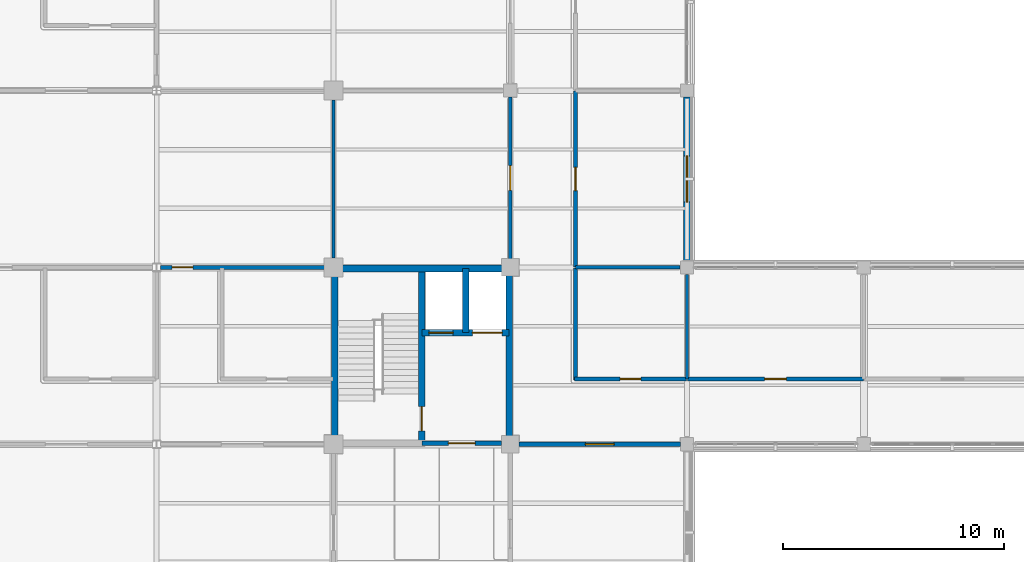
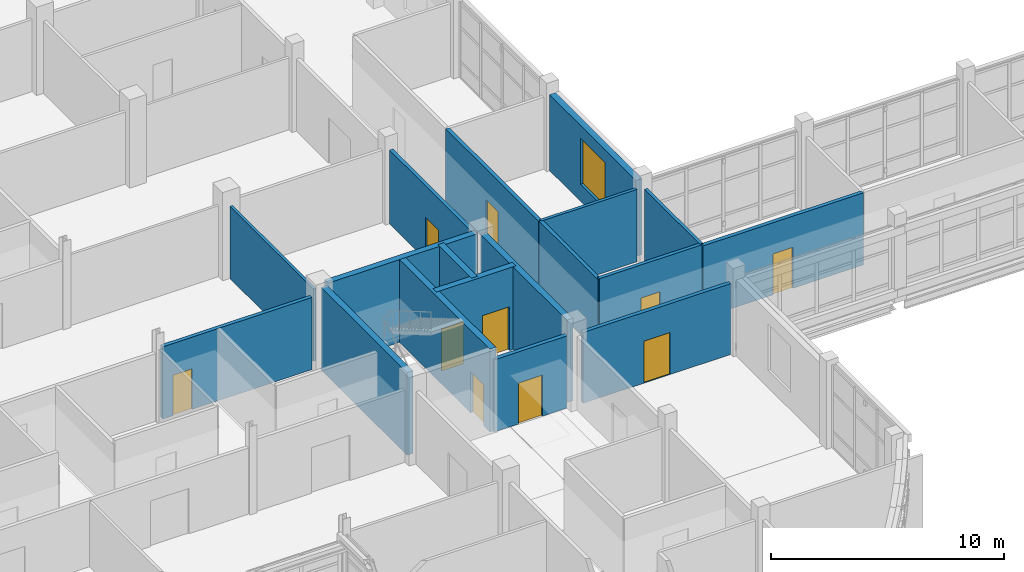
# One storey, part 84 of 121: 18 walls, 10 doors, 1 window, 11 openings.
"""IFC4 building model written with IfcOpenShell, lengths in metres."""

import ifcopenshell
import ifcopenshell.guid

model = None  # the IFC model being written
_history = None  # IfcOwnerHistory: only IFC2X3 demands one
_inside = {}  # id of a spatial element -> (the spatial element, [elements in it])
_under = {}  # id of a project, library or spatial element -> (it, [spatial elements below it])
_declared = {}  # id of a project -> (the project, [libraries it declares])
_typed = {}  # id of a type object -> (the type object, [elements of that type])
_made_of = {}  # id of a material, layer set ... -> (it, [elements and type objects made of it])


def new_model(schema):
    """Start an empty IFC model of exactly this schema.

    Asked for "IFC4X3", IfcOpenShell would pick the latest addendum, in which some entities
    have other attributes; the version numbers below select the first issue.
    IFC2X3 requires an IfcOwnerHistory on every rooted entity: one is made here for all.
    """
    global model, _history
    if schema == "IFC4X3":
        model = ifcopenshell.file(schema_version=(4, 3, 0, 0))
    else:
        model = ifcopenshell.file(schema=schema)
    _inside.clear()
    _under.clear()
    _declared.clear()
    _typed.clear()
    _made_of.clear()
    _history = None
    if model.schema == "IFC2X3":
        org = make("IfcOrganization", Name="unknown")
        user = make(
            "IfcPersonAndOrganization",
            ThePerson=make("IfcPerson", FamilyName="unknown"),
            TheOrganization=org,
        )
        app = make(
            "IfcApplication",
            ApplicationDeveloper=org,
            Version="unknown",
            ApplicationFullName="unknown",
            ApplicationIdentifier="unknown",
        )
        _history = make(
            "IfcOwnerHistory",
            OwningUser=user,
            OwningApplication=app,
            ChangeAction="ADDED",
            CreationDate=0,
        )
    return model


def make(cls, **values):
    """One entity of the class cls with the attributes given. An attribute that is None is left unset."""
    return model.create_entity(
        cls, **{name: value for name, value in values.items() if value is not None}
    )


def rooted(cls, **values):
    """An entity with a GlobalId (a new one), such as an element, a storey or a relation."""
    return make(cls, GlobalId=ifcopenshell.guid.new(), OwnerHistory=_history, **values)


def si_unit(unit_type, name, prefix=None):
    """IfcSIUnit, for example si_unit("LENGTHUNIT", "METRE", prefix="MILLI")."""
    return make("IfcSIUnit", UnitType=unit_type, Prefix=prefix, Name=name)


def derived_unit(unit_type, elements):
    """IfcDerivedUnit: a product of units, each with its exponent."""
    return make(
        "IfcDerivedUnit",
        Elements=[
            make("IfcDerivedUnitElement", Unit=unit, Exponent=power)
            for unit, power in elements
        ],
        UnitType=unit_type,
    )


def assignment(units):
    """IfcUnitAssignment: the units of a project."""
    return None if units is None else make("IfcUnitAssignment", Units=units)


def point(xyz):
    """IfcCartesianPoint."""
    return None if xyz is None else make("IfcCartesianPoint", Coordinates=xyz)


def direction(xyz):
    """IfcDirection."""
    return None if xyz is None else make("IfcDirection", DirectionRatios=xyz)


def frame(location, z_axis=None, x_axis=None):
    """IfcAxis2Placement3D, a coordinate frame: its origin and axes. An axis left out is left unset."""
    return make(
        "IfcAxis2Placement3D",
        Location=point(location),
        Axis=direction(z_axis),
        RefDirection=direction(x_axis),
    )


def frame_2d(location, x_axis=None):
    """IfcAxis2Placement2D, a coordinate frame in the plane: its origin and x axis."""
    return make(
        "IfcAxis2Placement2D", Location=point(location), RefDirection=direction(x_axis)
    )


def origin():
    """The frame at (0, 0, 0) with its axes left unset."""
    return frame((0.0, 0.0, 0.0))


def place(relative_to, where):
    """IfcLocalPlacement: puts the frame where relative to a parent placement (None: the world)."""
    return make(
        "IfcLocalPlacement", PlacementRelTo=relative_to, RelativePlacement=where
    )


def context(
    kind, dimensions, precision=None, world=None, true_north=None, identifier=None
):
    """IfcGeometricRepresentationContext, for example the 3D "Model" context."""
    return make(
        "IfcGeometricRepresentationContext",
        ContextIdentifier=identifier,
        ContextType=kind,
        CoordinateSpaceDimension=dimensions,
        Precision=precision,
        WorldCoordinateSystem=world,
        TrueNorth=true_north,
    )


def subcontext(parent, identifier, kind, view, scale=None):
    """IfcGeometricRepresentationSubContext, for example "Body" below "Model"."""
    return make(
        "IfcGeometricRepresentationSubContext",
        ContextIdentifier=identifier,
        ContextType=kind,
        ParentContext=parent,
        TargetScale=scale,
        TargetView=view,
    )


def project(units=None, contexts=None):
    """IfcProject with its units and contexts."""
    return rooted(
        "IfcProject",
        Name="project",
        RepresentationContexts=contexts,
        UnitsInContext=assignment(units),
    )


def spatial(cls, under=None, at=None, **own):
    """A site, building, storey or space (cls), placed at a placement, below another one or the project."""
    s = rooted(cls, ObjectPlacement=at, **own)
    if under is not None:
        _under.setdefault(under.id(), (under, []))[1].append(s)
    return s


def profile(cls, at=None, kind="AREA", **sizes):
    """A parametric profile (cls). Its sizes go by their IFC names, for example OverallWidth=200.0."""
    return make(cls, ProfileType=kind, Position=at, **sizes)


def rectangle(**sizes):
    """IfcRectangleProfileDef."""
    return profile("IfcRectangleProfileDef", **sizes)


def extrude(swept, where, along, depth):
    """IfcExtrudedAreaSolid: the profile swept, set in the frame where, extruded along a direction by depth."""
    return make(
        "IfcExtrudedAreaSolid",
        SweptArea=swept,
        Position=where,
        ExtrudedDirection=direction(along),
        Depth=depth,
    )


def shape(context_of_items, identifier, shape_type, items):
    """IfcShapeRepresentation: the items that make up one representation, for example the "Body"."""
    return make(
        "IfcShapeRepresentation",
        ContextOfItems=context_of_items,
        RepresentationIdentifier=identifier,
        RepresentationType=shape_type,
        Items=items,
    )


def material(Name=None, Category=None):
    """IfcMaterial."""
    return make("IfcMaterial", Name=Name, Category=Category)


def layer(
    of_material, thickness, ventilated=None, Name=None, Category=None, Priority=None
):
    """IfcMaterialLayer: one layer of a wall or slab, of a material (None: an air gap)."""
    return make(
        "IfcMaterialLayer",
        Material=of_material,
        LayerThickness=thickness,
        IsVentilated=ventilated,
        Name=Name,
        Category=Category,
        Priority=Priority,
    )


def layer_set(layers, Name=None):
    """IfcMaterialLayerSet."""
    return make("IfcMaterialLayerSet", MaterialLayers=layers, LayerSetName=Name)


def made_of(thing, what):
    """Note that an element or type object is made of a material, layer set ...; save() writes the relation."""
    if what is not None:
        _made_of.setdefault(what.id(), (what, []))[1].append(thing)
    return thing


def type_object(cls, material=None, **own):
    """A type object (cls), such as IfcWallType, which elements share."""
    return made_of(rooted(cls, **own), material)


def element(
    cls,
    number,
    at=None,
    inside=None,
    cuts=None,
    type_object=None,
    material=None,
    context=None,
    identifier="Body",
    shape_type=None,
    held_by="IfcProductDefinitionShape",
    body=None,
    shapes=None,
    **own,
):
    """One element of the class cls, such as IfcWall. Its Tag is "e" and its number.

    at: its placement. inside: the storey or other place that contains it. cuts: it is an
    opening in that element (IfcRelVoidsElement). A single representation is given by context,
    identifier, shape_type and body (its items); several are given by shapes. held_by: the class
    of the entity that holds the representations. save() writes the other relations.
    """
    e = rooted(cls, Tag="e%d" % number, ObjectPlacement=at, **own)
    if body is not None:
        shapes = [shape(context, identifier, shape_type, body)]
    if shapes is not None:
        e.Representation = make(held_by, Representations=shapes)
    if inside is not None:
        _inside.setdefault(inside.id(), (inside, []))[1].append(e)
    if cuts is not None:
        rooted(
            "IfcRelVoidsElement", RelatingBuildingElement=cuts, RelatedOpeningElement=e
        )
    if type_object is not None:
        _typed.setdefault(type_object.id(), (type_object, []))[1].append(e)
    return made_of(e, material)


def fill(opening, filler):
    """IfcRelFillsElement: the door or window that sits in an opening."""
    return rooted(
        "IfcRelFillsElement",
        RelatingOpeningElement=opening,
        RelatedBuildingElement=filler,
    )


def aggregate(whole, parts):
    """IfcRelAggregates: a whole, such as a stair, and the parts it consists of."""
    return rooted("IfcRelAggregates", RelatingObject=whole, RelatedObjects=parts)


def save(model, path):
    """Write the relations noted so far, then the file.

    IfcRelAggregates (storeys below a building ...), IfcRelContainedInSpatialStructure (elements
    in a storey), IfcRelDefinesByType, IfcRelAssociatesMaterial and IfcRelDeclares: one each for
    every whole, place, type object, material and project.
    """
    for whole, parts in _under.values():
        aggregate(whole, parts)
    for where, things in _inside.values():
        rooted(
            "IfcRelContainedInSpatialStructure",
            RelatedElements=things,
            RelatingStructure=where,
        )
    for kind, things in _typed.values():
        rooted("IfcRelDefinesByType", RelatedObjects=things, RelatingType=kind)
    for what, things in _made_of.values():
        rooted("IfcRelAssociatesMaterial", RelatedObjects=things, RelatingMaterial=what)
    for by, libraries in _declared.values():
        rooted("IfcRelDeclares", RelatingContext=by, RelatedDefinitions=libraries)
    model.write(path)


model = new_model("IFC4")

# Units and contexts
model_context = context("Model", 3, precision=1e-05, world=origin(), true_north=direction((0.0, 1.0)))
body_context = subcontext(model_context, "Body", "Model", "MODEL_VIEW")
ifc_project = project(units=[si_unit("LENGTHUNIT", "METRE"), si_unit("AREAUNIT", "SQUARE_METRE"), si_unit("VOLUMEUNIT", "CUBIC_METRE"), si_unit("PLANEANGLEUNIT", "RADIAN"), si_unit("MASSUNIT", "GRAM", prefix="KILO"), derived_unit("THERMALTRANSMITTANCEUNIT", [(si_unit("MASSUNIT", "GRAM", prefix="KILO"), 1), (si_unit("TIMEUNIT", "SECOND"), -3), (si_unit("THERMODYNAMICTEMPERATUREUNIT", "KELVIN"), -1)])], contexts=[model_context])

# Site, building, storey
site_placement = place(None, origin())
site = spatial("IfcSite", under=ifc_project, at=site_placement, CompositionType="ELEMENT")
building_placement = place(site_placement, origin())
building = spatial("IfcBuilding", under=site, at=building_placement, Name="Veyamyaing Civic Hall", CompositionType="ELEMENT")
storey_placement = place(building_placement, frame((0.0, 0.0, 5.280029296875)))
storey = spatial("IfcBuildingStorey", under=building, at=storey_placement, Name="L01", CompositionType="ELEMENT", Elevation=5.280029296875)

# Wall, opening, window
ifc_material_1 = material(Name="Precast concrete C40/50", Category="concrete")
ifc_layer_1 = layer(ifc_material_1, 0.304931640625, Name="Precast concrete C40/50")
ifc_layer_set_1 = layer_set([ifc_layer_1], Name="Precast concrete C40/50")
wall_type_1 = type_object("IfcWallType", Name="WT-03", PredefinedType="SOLIDWALL", material=ifc_layer_set_1)
wall_1_placement = place(storey_placement, frame((120.0, 56.284912109375, 0.0), z_axis=(0.0, 0.0, 1.0), x_axis=(0.0, 1.0, 0.0)))
wall_1 = element("IfcWall", 1, at=wall_1_placement, inside=storey, type_object=wall_type_1, Name="Exterior facade wall WT-03 L01 E 15.8", PredefinedType="SOLIDWALL", context=body_context, shape_type="SweptSolid", body=[
    extrude(rectangle(XDim=7.43017578125, YDim=0.304931640625, at=frame_2d((3.715087890625, 0.0))), origin(), (0.0, 0.0, 1.0), 3.97705078125),
])
opening_1_placement = place(wall_1_placement, frame((2.6650390625, 0.0, 0.89990234375)))
opening_1 = element("IfcOpeningElement", 2, at=opening_1_placement, cuts=wall_1, Name="Opening W-05", PredefinedType="OPENING", context=body_context, shape_type="SweptSolid", body=[
    extrude(rectangle(XDim=2.10009765625, YDim=2.39990234375, at=frame_2d((1.050048828125, 1.199951171875))), frame((0.0, 0.162353515625, 0.0), z_axis=(0.0, -1.0, 0.0), x_axis=(1.0, 0.0, 0.0)), (0.0, 0.0, 1.0), 0.324951171875),
])
ifc_material_2 = material(Name="Low-E insulated glass", Category="glass")
window_type = type_object("IfcWindowType", Name="W-05", PartitioningType="SINGLE_PANEL", PredefinedType="WINDOW", material=ifc_material_2)
window_placement = place(opening_1_placement, origin())
window = element("IfcWindow", 3, at=window_placement, inside=storey, type_object=window_type, Name="Facade window W-05 L01 E 15.8", OverallHeight=2.39990234375, OverallWidth=2.10009765625, PartitioningType="SINGLE_PANEL", PredefinedType="WINDOW", context=body_context, shape_type="SweptSolid", body=[
    extrude(rectangle(XDim=2.10009765625, YDim=2.39990234375, at=frame_2d((1.050048828125, 1.199951171875))), frame((0.0, 0.030029296875, 0.0), z_axis=(0.0, -1.0, 0.0), x_axis=(1.0, 0.0, 0.0)), (0.0, 0.0, 1.0), 0.06005859375),
])
fill(opening_1, window)

# Walls
ifc_material_3 = material(Name="Concrete C40/50", Category="concrete")
ifc_layer_2 = layer(ifc_material_3, 0.300048828125, Name="Concrete C40/50")
ifc_layer_set_2 = layer_set([ifc_layer_2], Name="Concrete C40/50")
wall_type_2 = type_object("IfcWallType", Name="WT-05", PredefinedType="SHEAR", material=ifc_layer_set_2)
wall_2_placement = place(storey_placement, frame((104.050048828125, 48.31494140625, 0.0), z_axis=(0.0, 0.0, 1.0), x_axis=(0.0, 1.0, 0.0)))
element("IfcWall", 4, at=wall_2_placement, inside=storey, type_object=wall_type_2, Name="Core shear wall WT-05 CORE-6 L01.W", PredefinedType="SHEAR", context=body_context, shape_type="SweptSolid", body=[
    extrude(rectangle(XDim=7.3701171875, YDim=0.300048828125, at=frame_2d((3.68505859375, 0.0))), origin(), (0.0, 0.0, 1.0), 4.3349609375),
])
wall_3_placement = place(storey_placement, frame((104.31494140625, 55.949951171875, 0.0), z_axis=(0.0, 0.0, 1.0), x_axis=(1.0, 0.0, 0.0)))
element("IfcWall", 5, at=wall_3_placement, inside=storey, type_object=wall_type_2, Name="Core shear wall WT-05 CORE-6 L01.N", PredefinedType="SHEAR", context=body_context, shape_type="SweptSolid", body=[
    extrude(rectangle(XDim=7.39501953125, YDim=0.300048828125, at=frame_2d((3.697509765625, 0.0))), origin(), (0.0, 0.0, 1.0), 4.3349609375),
])
wall_4_placement = place(storey_placement, frame((111.949951171875, 48.2900390625, 0.0), z_axis=(0.0, 0.0, 1.0), x_axis=(0.0, 1.0, 0.0)))
element("IfcWall", 6, at=wall_4_placement, inside=storey, type_object=wall_type_2, Name="Core shear wall WT-05 CORE-6 L01.E", PredefinedType="SHEAR", context=body_context, shape_type="SweptSolid", body=[
    extrude(rectangle(XDim=7.419921875, YDim=0.300048828125, at=frame_2d((3.7099609375, 0.0))), origin(), (0.0, 0.0, 1.0), 4.3349609375),
])

# Wall, opening, door
wall_5_placement = place(storey_placement, frame((108.0, 48.050048828125, 0.0), z_axis=(0.0, 0.0, 1.0), x_axis=(0.0, 1.0, 0.0)))
wall_5 = element("IfcWall", 7, at=wall_5_placement, inside=storey, type_object=wall_type_2, Name="Core shear wall WT-05 CORE-6 L01.MID", PredefinedType="SHEAR", context=body_context, shape_type="SweptSolid", body=[
    extrude(rectangle(XDim=7.89990234375, YDim=0.300048828125, at=frame_2d((3.949951171875, 0.0))), origin(), (0.0, 0.0, 1.0), 4.3349609375),
])
opening_2_placement = place(wall_5_placement, frame((0.550048828125, 0.0, 0.0)))
opening_2 = element("IfcOpeningElement", 8, at=opening_2_placement, cuts=wall_5, Name="Opening D-03", PredefinedType="OPENING", context=body_context, shape_type="SweptSolid", body=[
    extrude(rectangle(XDim=1.10009765625, YDim=2.14990234375, at=frame_2d((0.550048828125, 1.074951171875))), frame((0.0, 0.159912109375, 0.0), z_axis=(0.0, -1.0, 0.0), x_axis=(1.0, 0.0, 0.0)), (0.0, 0.0, 1.0), 0.320068359375),
])
ifc_material_4 = material(Name="Galvanized steel S355J2", Category="steel")
door_type_1 = type_object("IfcDoorType", Name="D-03", OperationType="NOTDEFINED", PredefinedType="DOOR", material=ifc_material_4)
door_1_placement = place(opening_2_placement, origin())
door_1 = element("IfcDoor", 9, at=door_1_placement, inside=storey, type_object=door_type_1, Name="Exit stair fire door D-03 ST-06 L01", OperationType="SINGLE_SWING_LEFT", OverallHeight=2.14990234375, OverallWidth=1.10009765625, PredefinedType="DOOR", context=body_context, shape_type="SweptSolid", body=[
    extrude(rectangle(XDim=1.10009765625, YDim=2.14990234375, at=frame_2d((0.550048828125, 1.074951171875))), frame((0.0, 0.02490234375, 0.0), z_axis=(0.0, -1.0, 0.0), x_axis=(1.0, 0.0, 0.0)), (0.0, 0.0, 1.0), 0.050048828125),
])
fill(opening_2, door_1)

# Wall, openings, doors
wall_6_placement = place(storey_placement, frame((108.0, 53.050048828125, 0.0), z_axis=(0.0, 0.0, 1.0), x_axis=(1.0, 0.0, 0.0)))
wall_6 = element("IfcWall", 10, at=wall_6_placement, inside=storey, type_object=wall_type_2, Name="Core shear wall WT-05 CORE-6 L01.LFT", PredefinedType="SHEAR", context=body_context, shape_type="SweptSolid", body=[
    extrude(rectangle(XDim=3.949951171875, YDim=0.300048828125, at=frame_2d((1.97509765625, 0.0))), origin(), (0.0, 0.0, 1.0), 4.3349609375),
])
opening_3_placement = place(wall_6_placement, frame((0.320068359375, 0.0, 0.0)))
opening_3 = element("IfcOpeningElement", 11, at=opening_3_placement, cuts=wall_6, Name="Opening LD-01", PredefinedType="OPENING", context=body_context, shape_type="SweptSolid", body=[
    extrude(rectangle(XDim=1.10009765625, YDim=2.199951171875, at=frame_2d((0.550048828125, 1.10009765625))), frame((0.0, 0.159912109375, 0.0), z_axis=(0.0, -1.0, 0.0), x_axis=(1.0, 0.0, 0.0)), (0.0, 0.0, 1.0), 0.320068359375),
])
opening_4_placement = place(wall_6_placement, frame((2.280029296875, 0.0, 0.0)))
opening_4 = element("IfcOpeningElement", 12, at=opening_4_placement, cuts=wall_6, Name="Opening LD-03", PredefinedType="OPENING", context=body_context, shape_type="SweptSolid", body=[
    extrude(rectangle(XDim=1.35009765625, YDim=2.300048828125, at=frame_2d((0.675048828125, 1.14990234375))), frame((0.0, 0.159912109375, 0.0), z_axis=(0.0, -1.0, 0.0), x_axis=(1.0, 0.0, 0.0)), (0.0, 0.0, 1.0), 0.320068359375),
])
ifc_material_5 = material(Name="Anodised aluminium 6063-T6", Category="aluminium")
door_type_2 = type_object("IfcDoorType", Name="LD-01", OperationType="SLIDING_TO_LEFT", PredefinedType="DOOR", material=ifc_material_5)
door_2_placement = place(opening_3_placement, origin())
door_2 = element("IfcDoor", 13, at=door_2_placement, inside=storey, type_object=door_type_2, Name="Lift sliding landing door LD-01 PL-04 L01", OperationType="SLIDING_TO_LEFT", OverallHeight=2.199951171875, OverallWidth=1.10009765625, PredefinedType="DOOR", context=body_context, shape_type="SweptSolid", body=[
    extrude(rectangle(XDim=1.10009765625, YDim=2.199951171875, at=frame_2d((0.550048828125, 1.10009765625))), frame((0.0, 0.02490234375, 0.0), z_axis=(0.0, -1.0, 0.0), x_axis=(1.0, 0.0, 0.0)), (0.0, 0.0, 1.0), 0.050048828125),
])
fill(opening_3, door_2)
door_type_3 = type_object("IfcDoorType", Name="LD-03", OperationType="DOUBLE_DOOR_SLIDING", PredefinedType="DOOR", material=ifc_material_4)
door_3_placement = place(opening_4_placement, origin())
door_3 = element("IfcDoor", 14, at=door_3_placement, inside=storey, type_object=door_type_3, Name="Lift sliding landing door LD-03 GL-02 L01", OperationType="DOUBLE_DOOR_SLIDING", OverallHeight=2.300048828125, OverallWidth=1.35009765625, PredefinedType="DOOR", context=body_context, shape_type="SweptSolid", body=[
    extrude(rectangle(XDim=1.35009765625, YDim=2.300048828125, at=frame_2d((0.675048828125, 1.14990234375))), frame((0.0, 0.02490234375, 0.0), z_axis=(0.0, -1.0, 0.0), x_axis=(1.0, 0.0, 0.0)), (0.0, 0.0, 1.0), 0.050048828125),
])
fill(opening_4, door_3)

# Wall
wall_7_placement = place(storey_placement, frame((109.97998046875, 53.050048828125, 0.0), z_axis=(0.0, 0.0, 1.0), x_axis=(0.0, 1.0, 0.0)))
element("IfcWall", 15, at=wall_7_placement, inside=storey, type_object=wall_type_2, Name="Core shear wall WT-05 CORE-6 L01.LDIV", PredefinedType="SHEAR", context=body_context, shape_type="SweptSolid", body=[
    extrude(rectangle(XDim=2.89990234375, YDim=0.300048828125, at=frame_2d((1.449951171875, 0.0))), origin(), (0.0, 0.0, 1.0), 4.3349609375),
])

# Wall, opening, door
ifc_layer_3 = layer(ifc_material_3, 0.199951171875, Name="Concrete C40/50")
ifc_layer_set_3 = layer_set([ifc_layer_3], Name="Concrete C40/50")
wall_type_3 = type_object("IfcWallType", Name="WT-06", PredefinedType="PARTITIONING", material=ifc_layer_set_3)
wall_8_placement = place(storey_placement, frame((108.0, 48.050048828125, 0.0), z_axis=(0.0, 0.0, 1.0), x_axis=(1.0, 0.0, 0.0)))
wall_8 = element("IfcWall", 16, at=wall_8_placement, inside=storey, type_object=wall_type_3, Name="Firefighting lift lobby wall WT-06 CORE-6 L01", PredefinedType="PARTITIONING", context=body_context, shape_type="SweptSolid", body=[
    extrude(rectangle(XDim=3.610107421875, YDim=0.199951171875, at=frame_2d((1.80517578125, 0.0))), origin(), (0.0, 0.0, 1.0), 3.781005859375),
])
opening_5_placement = place(wall_8_placement, frame((1.205078125, 0.0, 0.0)))
opening_5 = element("IfcOpeningElement", 17, at=opening_5_placement, cuts=wall_8, Name="Opening D-04", PredefinedType="OPENING", context=body_context, shape_type="SweptSolid", body=[
    extrude(rectangle(XDim=1.199951171875, YDim=2.14990234375, at=frame_2d((0.60009765625, 1.074951171875))), frame((0.0, 0.10986328125, 0.0), z_axis=(0.0, -1.0, 0.0), x_axis=(1.0, 0.0, 0.0)), (0.0, 0.0, 1.0), 0.219970703125),
])
door_type_4 = type_object("IfcDoorType", Name="D-04", OperationType="NOTDEFINED", PredefinedType="DOOR", material=ifc_material_4)
door_4_placement = place(opening_5_placement, frame((1.199951171875, 0.0, 0.0), z_axis=(0.0, 0.0, 1.0), x_axis=(-1.0, 0.0, 0.0)))
door_4 = element("IfcDoor", 18, at=door_4_placement, inside=storey, type_object=door_type_4, Name="Protected lobby fire door D-04 CORE-6 L01", OperationType="SINGLE_SWING_RIGHT", OverallHeight=2.14990234375, OverallWidth=1.199951171875, PredefinedType="DOOR", context=body_context, shape_type="SweptSolid", body=[
    extrude(rectangle(XDim=1.199951171875, YDim=2.14990234375, at=frame_2d((0.60009765625, 1.074951171875))), frame((0.0, 0.02490234375, 0.0), z_axis=(0.0, -1.0, 0.0), x_axis=(1.0, 0.0, 0.0)), (0.0, 0.0, 1.0), 0.050048828125),
])
fill(opening_5, door_4)

ifc_material_6 = material(Name="Gypsum board on acoustic steel stud", Category="steel")
ifc_layer_4 = layer(ifc_material_6, 0.175048828125, Name="Gypsum board on acoustic steel stud")
ifc_layer_set_4 = layer_set([ifc_layer_4], Name="Gypsum board on acoustic steel stud")
wall_type_4 = type_object("IfcWallType", Name="WT-07", PredefinedType="PARTITIONING", material=ifc_layer_set_4)
wall_9_placement = place(storey_placement, frame((114.89990234375, 50.949951171875, 0.0), z_axis=(0.0, 0.0, 1.0), x_axis=(1.0, 0.0, 0.0)))
wall_9 = element("IfcWall", 19, at=wall_9_placement, inside=storey, type_object=wall_type_4, Name="Corridor gallery partition WT-07 L01.57.1", PredefinedType="PARTITIONING", context=body_context, shape_type="SweptSolid", body=[
    extrude(rectangle(XDim=5.080078125, YDim=0.175048828125, at=frame_2d((2.5400390625, 0.0))), origin(), (0.0, 0.0, 1.0), 3.85693359375),
])
opening_6_placement = place(wall_9_placement, frame((2.070068359375, 0.0, 0.0)))
opening_6 = element("IfcOpeningElement", 20, at=opening_6_placement, cuts=wall_9, Name="Opening D-30", PredefinedType="OPENING", context=body_context, shape_type="SweptSolid", body=[
    extrude(rectangle(XDim=0.93994140625, YDim=2.1201171875, at=frame_2d((0.469970703125, 1.06005859375))), frame((0.0, 0.097412109375, 0.0), z_axis=(0.0, -1.0, 0.0), x_axis=(1.0, 0.0, 0.0)), (0.0, 0.0, 1.0), 0.195068359375),
])
ifc_material_7 = material(Name="Teak-veneered acoustic timber", Category="wood")
door_type_5 = type_object("IfcDoorType", Name="D-30", OperationType="NOTDEFINED", PredefinedType="DOOR", material=ifc_material_7)
door_5_placement = place(opening_6_placement, origin())
door_5 = element("IfcDoor", 21, at=door_5_placement, inside=storey, type_object=door_type_5, Name="Gallery office door D-30 L01.57", OperationType="SINGLE_SWING_LEFT", OverallHeight=2.1201171875, OverallWidth=0.93994140625, PredefinedType="DOOR", context=body_context, shape_type="SweptSolid", body=[
    extrude(rectangle(XDim=0.93994140625, YDim=2.1201171875, at=frame_2d((0.469970703125, 1.06005859375))), frame((0.0, 0.02490234375, 0.0), z_axis=(0.0, -1.0, 0.0), x_axis=(1.0, 0.0, 0.0)), (0.0, 0.0, 1.0), 0.050048828125),
])
fill(opening_6, door_5)

# Wall
wall_10_placement = place(storey_placement, frame((114.949951171875, 50.89990234375, 0.0), z_axis=(0.0, 0.0, 1.0), x_axis=(0.0, 1.0, 0.0)))
element("IfcWall", 22, at=wall_10_placement, inside=storey, type_object=wall_type_4, Name="Corridor gallery partition WT-07 L01.57.2", PredefinedType="PARTITIONING", context=body_context, shape_type="SweptSolid", body=[
    extrude(rectangle(XDim=5.080078125, YDim=0.175048828125, at=frame_2d((2.5400390625, 0.0))), origin(), (0.0, 0.0, 1.0), 3.786865234375),
])

# Wall, opening, door
wall_11_placement = place(storey_placement, frame((112.0, 56.389892578125, 0.0), z_axis=(0.0, 0.0, 1.0), x_axis=(0.0, 1.0, 0.0)))
wall_11 = element("IfcWall", 23, at=wall_11_placement, inside=storey, type_object=wall_type_4, Name="Interior partition wall WT-07 L01.85", PredefinedType="PARTITIONING", context=body_context, shape_type="SweptSolid", body=[
    extrude(rectangle(XDim=7.320068359375, YDim=0.175048828125, at=frame_2d((3.66015625, 0.0))), origin(), (0.0, 0.0, 1.0), 3.85693359375),
])
opening_7_placement = place(wall_11_placement, frame((3.10009765625, 0.0, 0.0)))
opening_7 = element("IfcOpeningElement", 24, at=opening_7_placement, cuts=wall_11, Name="Opening D-26", PredefinedType="OPENING", context=body_context, shape_type="SweptSolid", body=[
    extrude(rectangle(XDim=1.1201171875, YDim=2.219970703125, at=frame_2d((0.56005859375, 1.10986328125))), frame((0.0, 0.097412109375, 0.0), z_axis=(0.0, -1.0, 0.0), x_axis=(1.0, 0.0, 0.0)), (0.0, 0.0, 1.0), 0.195068359375),
])
door_type_6 = type_object("IfcDoorType", Name="D-26", OperationType="NOTDEFINED", PredefinedType="DOOR", material=ifc_material_7)
door_6_placement = place(opening_7_placement, origin())
door_6 = element("IfcDoor", 25, at=door_6_placement, inside=storey, type_object=door_type_6, Name="Interior door D-26 L01.85", OperationType="SINGLE_SWING_RIGHT", OverallHeight=2.219970703125, OverallWidth=1.1201171875, PredefinedType="DOOR", context=body_context, shape_type="SweptSolid", body=[
    extrude(rectangle(XDim=1.1201171875, YDim=2.219970703125, at=frame_2d((0.56005859375, 1.10986328125))), frame((0.0, 0.02490234375, 0.0), z_axis=(0.0, -1.0, 0.0), x_axis=(1.0, 0.0, 0.0)), (0.0, 0.0, 1.0), 0.050048828125),
])
fill(opening_7, door_6)

# Walls
ifc_material_8 = material(Name="Gypsum board on steel stud", Category="steel")
ifc_layer_5 = layer(ifc_material_8, 0.14990234375, Name="Gypsum board on steel stud")
ifc_layer_set_5 = layer_set([ifc_layer_5], Name="Gypsum board on steel stud")
wall_type_5 = type_object("IfcWallType", Name="WT-08", PredefinedType="PARTITIONING", material=ifc_layer_set_5)
wall_12_placement = place(storey_placement, frame((114.949951171875, 56.0, 0.0), z_axis=(0.0, 0.0, 1.0), x_axis=(1.0, 0.0, 0.0)))
element("IfcWall", 26, at=wall_12_placement, inside=storey, type_object=wall_type_5, Name="Gallery office end partition WT-08 L01.57.1", PredefinedType="PARTITIONING", context=body_context, shape_type="SweptSolid", body=[
    extrude(rectangle(XDim=4.739990234375, YDim=0.14990234375, at=frame_2d((2.3701171875, 0.0))), origin(), (0.0, 0.0, 1.0), 3.786865234375),
])
wall_13_placement = place(storey_placement, frame((120.0, 50.949951171875, 0.0), z_axis=(0.0, 0.0, 1.0), x_axis=(0.0, 1.0, 0.0)))
element("IfcWall", 27, at=wall_13_placement, inside=storey, type_object=wall_type_5, Name="Gallery office end partition WT-08 L01.57.2", PredefinedType="PARTITIONING", context=body_context, shape_type="SweptSolid", body=[
    extrude(rectangle(XDim=4.739990234375, YDim=0.14990234375, at=frame_2d((2.3701171875, 0.0))), origin(), (0.0, 0.0, 1.0), 3.85693359375),
])
ifc_layer_6 = layer(ifc_material_8, 0.135009765625, Name="Gypsum board on steel stud")
ifc_layer_set_6 = layer_set([ifc_layer_6], Name="Gypsum board on steel stud")
wall_type_6 = type_object("IfcWallType", Name="WT-15", PredefinedType="PARTITIONING", material=ifc_layer_set_6)
wall_14_placement = place(storey_placement, frame((104.0, 56.4150390625, 0.0), z_axis=(0.0, 0.0, 1.0), x_axis=(0.0, 1.0, 0.0)))
element("IfcWall", 28, at=wall_14_placement, inside=storey, type_object=wall_type_6, Name="Interior partition wall WT-15 L01.75", PredefinedType="PARTITIONING", context=body_context, shape_type="SweptSolid", body=[
    extrude(rectangle(XDim=7.169921875, YDim=0.135009765625, at=frame_2d((3.5849609375, 0.0))), origin(), (0.0, 0.0, 1.0), 3.786865234375),
])

# Wall, opening, door
ifc_material_9 = material(Name="Gypsum board on double acoustic stud")
ifc_layer_7 = layer(ifc_material_9, 0.18505859375, Name="Gypsum board on double acoustic stud")
ifc_layer_set_7 = layer_set([ifc_layer_7], Name="Gypsum board on double acoustic stud")
wall_type_7 = type_object("IfcWallType", Name="WT-19", PredefinedType="PARTITIONING", material=ifc_layer_set_7)
wall_15_placement = place(storey_placement, frame((114.949951171875, 56.02001953125, 0.0), z_axis=(0.0, 0.0, 1.0), x_axis=(0.0, 1.0, 0.0)))
wall_15 = element("IfcWall", 29, at=wall_15_placement, inside=storey, type_object=wall_type_7, Name="Corridor gallery partition WT-19 L01.58.1", PredefinedType="PARTITIONING", context=body_context, shape_type="SweptSolid", body=[
    extrude(rectangle(XDim=7.9599609375, YDim=0.18505859375, at=frame_2d((3.97998046875, 0.0))), origin(), (0.0, 0.0, 1.0), 3.77099609375),
])
opening_8_placement = place(wall_15_placement, frame((3.455078125, 0.0, 0.0)))
opening_8 = element("IfcOpeningElement", 30, at=opening_8_placement, cuts=wall_15, Name="Opening D-12", PredefinedType="OPENING", context=body_context, shape_type="SweptSolid", body=[
    extrude(rectangle(XDim=1.050048828125, YDim=2.14990234375, at=frame_2d((0.52490234375, 1.074951171875))), frame((0.0, 0.1025390625, 0.0), z_axis=(0.0, -1.0, 0.0), x_axis=(1.0, 0.0, 0.0)), (0.0, 0.0, 1.0), 0.205078125),
])
door_type_7 = type_object("IfcDoorType", Name="D-12", OperationType="NOTDEFINED", PredefinedType="DOOR", material=ifc_material_7)
door_7_placement = place(opening_8_placement, frame((1.050048828125, 0.0, 0.0), z_axis=(0.0, 0.0, 1.0), x_axis=(-1.0, 0.0, 0.0)))
door_7 = element("IfcDoor", 31, at=door_7_placement, inside=storey, type_object=door_type_7, Name="Gallery office door D-12 L01.58", OperationType="SINGLE_SWING_RIGHT", OverallHeight=2.14990234375, OverallWidth=1.050048828125, PredefinedType="DOOR", context=body_context, shape_type="SweptSolid", body=[
    extrude(rectangle(XDim=1.050048828125, YDim=2.14990234375, at=frame_2d((0.52490234375, 1.074951171875))), frame((0.0, 0.02490234375, 0.0), z_axis=(0.0, -1.0, 0.0), x_axis=(1.0, 0.0, 0.0)), (0.0, 0.0, 1.0), 0.050048828125),
])
fill(opening_8, door_7)

wall_16_placement = place(storey_placement, frame((120.02001953125, 50.949951171875, 0.0), z_axis=(0.0, 0.0, 1.0), x_axis=(1.0, 0.0, 0.0)))
wall_16 = element("IfcWall", 32, at=wall_16_placement, inside=storey, type_object=wall_type_7, Name="Corridor gallery partition WT-19 L01.60.1", PredefinedType="PARTITIONING", context=body_context, shape_type="SweptSolid", body=[
    extrude(rectangle(XDim=7.9599609375, YDim=0.18505859375, at=frame_2d((3.97998046875, 0.0))), origin(), (0.0, 0.0, 1.0), 3.781005859375),
])
opening_9_placement = place(wall_16_placement, frame((3.489990234375, 0.0, 0.0)))
opening_9 = element("IfcOpeningElement", 33, at=opening_9_placement, cuts=wall_16, Name="Opening D-14", PredefinedType="OPENING", context=body_context, shape_type="SweptSolid", body=[
    extrude(rectangle(XDim=0.97998046875, YDim=2.14990234375, at=frame_2d((0.489990234375, 1.074951171875))), frame((0.0, 0.1025390625, 0.0), z_axis=(0.0, -1.0, 0.0), x_axis=(1.0, 0.0, 0.0)), (0.0, 0.0, 1.0), 0.205078125),
])
door_type_8 = type_object("IfcDoorType", Name="D-14", OperationType="NOTDEFINED", PredefinedType="DOOR", material=ifc_material_7)
door_8_placement = place(opening_9_placement, origin())
door_8 = element("IfcDoor", 34, at=door_8_placement, inside=storey, type_object=door_type_8, Name="Gallery office door D-14 L01.60", OperationType="SINGLE_SWING_RIGHT", OverallHeight=2.14990234375, OverallWidth=0.97998046875, PredefinedType="DOOR", context=body_context, shape_type="SweptSolid", body=[
    extrude(rectangle(XDim=0.97998046875, YDim=2.14990234375, at=frame_2d((0.489990234375, 1.074951171875))), frame((0.0, 0.02490234375, 0.0), z_axis=(0.0, -1.0, 0.0), x_axis=(1.0, 0.0, 0.0)), (0.0, 0.0, 1.0), 0.050048828125),
])
fill(opening_9, door_8)

wall_17_placement = place(storey_placement, frame((96.177001953125, 56.0, 0.0), z_axis=(0.0, 0.0, 1.0), x_axis=(1.0, 0.0, 0.0)))
wall_17 = element("IfcWall", 35, at=wall_17_placement, inside=storey, type_object=wall_type_7, Name="Interior partition wall WT-19 L01.74", PredefinedType="PARTITIONING", context=body_context, shape_type="SweptSolid", body=[
    extrude(rectangle(XDim=7.407958984375, YDim=0.18505859375, at=frame_2d((3.7041015625, 0.0))), origin(), (0.0, 0.0, 1.0), 3.781005859375),
])
opening_10_placement = place(wall_17_placement, frame((0.52001953125, 0.0, 0.0)))
opening_10 = element("IfcOpeningElement", 36, at=opening_10_placement, cuts=wall_17, Name="Opening D-30", PredefinedType="OPENING", context=body_context, shape_type="SweptSolid", body=[
    extrude(rectangle(XDim=0.93994140625, YDim=2.1201171875, at=frame_2d((0.469970703125, 1.06005859375))), frame((0.0, 0.1025390625, 0.0), z_axis=(0.0, -1.0, 0.0), x_axis=(1.0, 0.0, 0.0)), (0.0, 0.0, 1.0), 0.205078125),
])
door_9_placement = place(opening_10_placement, origin())
door_9 = element("IfcDoor", 37, at=door_9_placement, inside=storey, type_object=door_type_5, Name="Interior door D-30 L01.74", OperationType="SINGLE_SWING_RIGHT", OverallHeight=2.1201171875, OverallWidth=0.93994140625, PredefinedType="DOOR", context=body_context, shape_type="SweptSolid", body=[
    extrude(rectangle(XDim=0.93994140625, YDim=2.1201171875, at=frame_2d((0.469970703125, 1.06005859375))), frame((0.0, 0.02490234375, 0.0), z_axis=(0.0, -1.0, 0.0), x_axis=(1.0, 0.0, 0.0)), (0.0, 0.0, 1.0), 0.050048828125),
])
fill(opening_10, door_9)

wall_18_placement = place(storey_placement, frame((112.389892578125, 48.0, 0.0), z_axis=(0.0, 0.0, 1.0), x_axis=(1.0, 0.0, 0.0)))
wall_18 = element("IfcWall", 38, at=wall_18_placement, inside=storey, type_object=wall_type_7, Name="Interior partition wall WT-19 L01.94", PredefinedType="PARTITIONING", context=body_context, shape_type="SweptSolid", body=[
    extrude(rectangle(XDim=7.320068359375, YDim=0.18505859375, at=frame_2d((3.66015625, 0.0))), origin(), (0.0, 0.0, 1.0), 3.7119140625),
])
opening_11_placement = place(wall_18_placement, frame((3.010009765625, 0.0, 0.0)))
opening_11 = element("IfcOpeningElement", 39, at=opening_11_placement, cuts=wall_18, Name="Opening D-18", PredefinedType="OPENING", context=body_context, shape_type="SweptSolid", body=[
    extrude(rectangle(XDim=1.300048828125, YDim=2.199951171875, at=frame_2d((0.64990234375, 1.10009765625))), frame((0.0, 0.1025390625, 0.0), z_axis=(0.0, -1.0, 0.0), x_axis=(1.0, 0.0, 0.0)), (0.0, 0.0, 1.0), 0.205078125),
])
door_type_9 = type_object("IfcDoorType", Name="D-18", OperationType="DOUBLE_DOOR_SINGLE_SWING", PredefinedType="DOOR", material=ifc_material_5)
door_10_placement = place(opening_11_placement, frame((1.300048828125, 0.0, 0.0), z_axis=(0.0, 0.0, 1.0), x_axis=(-1.0, 0.0, 0.0)))
door_10 = element("IfcDoor", 40, at=door_10_placement, inside=storey, type_object=door_type_9, Name="Interior door D-18 L01.94", OperationType="DOUBLE_DOOR_SINGLE_SWING", OverallHeight=2.199951171875, OverallWidth=1.300048828125, PredefinedType="DOOR", context=body_context, shape_type="SweptSolid", body=[
    extrude(rectangle(XDim=1.300048828125, YDim=2.199951171875, at=frame_2d((0.64990234375, 1.10009765625))), frame((0.0, 0.02490234375, 0.0), z_axis=(0.0, -1.0, 0.0), x_axis=(1.0, 0.0, 0.0)), (0.0, 0.0, 1.0), 0.050048828125),
])
fill(opening_11, door_10)

save(model, "model.ifc")
